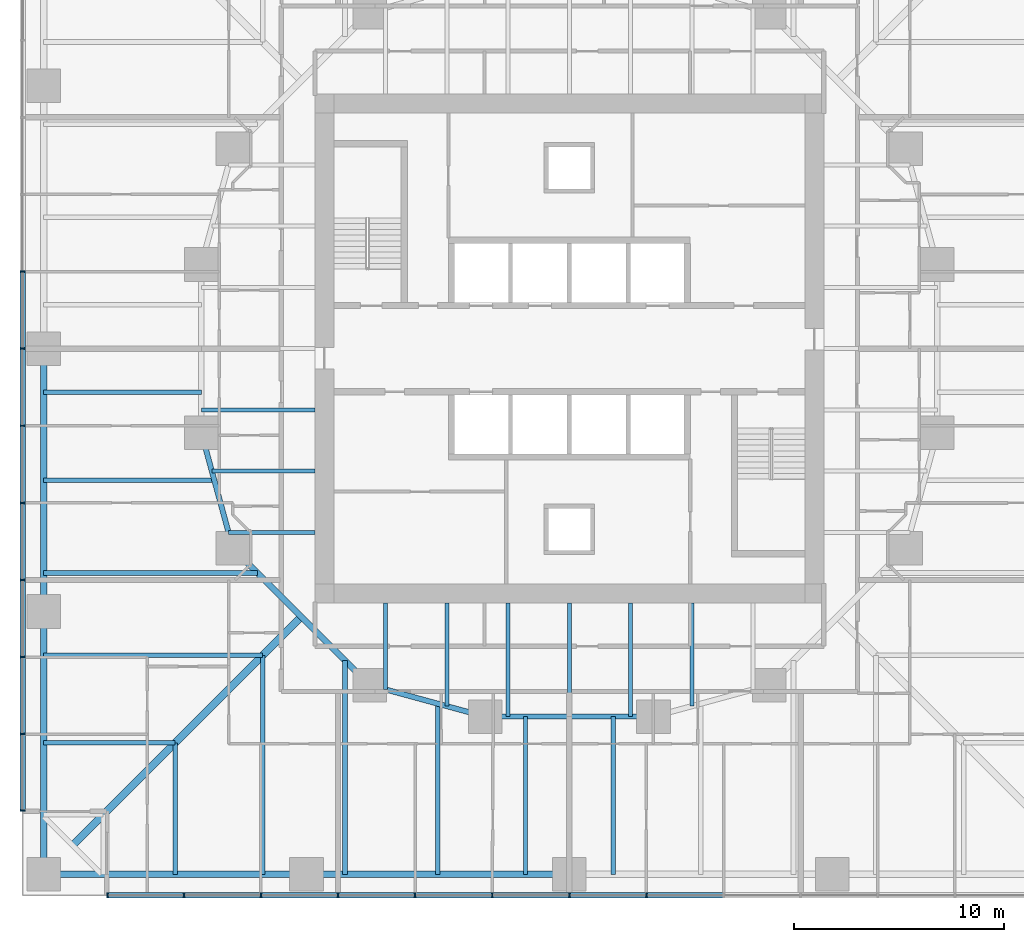
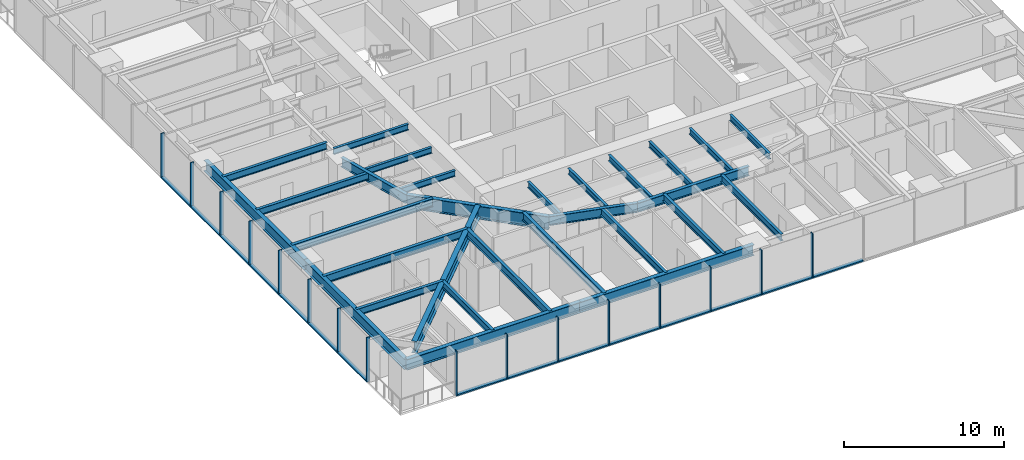
# One storey, part 2 of 18: 31 members, 29 beams, 2 elements without a shape of their own.
"""IFC4 building model written with IfcOpenShell, lengths in metres."""

from ifc_helpers import new_model, si_unit, direction, frame, origin, origin_2d, place, context, subcontext, project, spatial, rectangle, i_section, extrude, material, material_profile, profile_set, type_object, element, aggregate, save


model = new_model("IFC4")

# Units and contexts
model_context = context("Model", 3, precision=1e-05, world=origin(), true_north=direction((0.0, 1.0)))
body_context = subcontext(model_context, "Body", "Model", "MODEL_VIEW")
ifc_project = project(units=[si_unit("LENGTHUNIT", "METRE"), si_unit("AREAUNIT", "SQUARE_METRE"), si_unit("VOLUMEUNIT", "CUBIC_METRE"), si_unit("PLANEANGLEUNIT", "RADIAN"), si_unit("MASSUNIT", "GRAM", prefix="KILO")], contexts=[model_context])

# Site, building, storey
site_placement = place(None, origin())
site = spatial("IfcSite", under=ifc_project, at=site_placement, CompositionType="ELEMENT")
building_placement = place(site_placement, origin())
building = spatial("IfcBuilding", under=site, at=building_placement, Name="Torsade Residences", CompositionType="ELEMENT")
storey_placement = place(building_placement, frame((0.0, 0.0, 25.199951171875)))
storey = spatial("IfcBuildingStorey", under=building, at=storey_placement, Name="L06", CompositionType="ELEMENT", Elevation=25.199951171875)

# Beam
ifc_material_1 = material(Name="Steel grade 300", Category="steel")
ifc_material_profile_1 = material_profile(ifc_material_1, i_section(OverallWidth=0.35009765625, OverallDepth=0.909912109375, WebThickness=0.011962890625, FlangeThickness=0.02490234375, at=origin_2d()), Name="900WB218")
ifc_profile_set_1 = profile_set([ifc_material_profile_1], Name="Steel grade 300")
beam_type_1 = type_object("IfcBeamType", Name="CORNER GIRDER 900WB218", PredefinedType="BEAM", material=ifc_profile_set_1)
beam_1_placement = place(storey_placement, frame((16.375, 6.375, 2.795166015625), z_axis=(0.707106781187, 0.707106781187, 0.0), x_axis=(-0.707106781187, 0.707106781187, 0.0)))
element("IfcBeam", 1, at=beam_1_placement, inside=storey, type_object=beam_type_1, Name="Corner girder 01 L07", PredefinedType="BEAM", context=body_context, shape_type="SweptSolid", body=[
    extrude(i_section(OverallWidth=0.35009765625, OverallDepth=0.909912109375, WebThickness=0.011962890625, FlangeThickness=0.02490234375, at=origin_2d()), origin(), (0.0, 0.0, 1.0), 15.379638671875),
])

# Curtain wall, members
ifc_material_2 = material(Name="Aluminium and glass", Category="aluminium")
curtain_wall_type = type_object("IfcCurtainWallType", Name="FRITTED GLASS CURTAIN WALL LOW ZONE", PredefinedType="NOTDEFINED", material=ifc_material_2)
curtain_wall_1_placement = place(storey_placement, origin())
curtain_wall_1 = element("IfcCurtainWall", 2, at=curtain_wall_1_placement, inside=storey, type_object=curtain_wall_type, Name="Curtain wall L06 face 1", PredefinedType="NOTDEFINED")
ifc_material_3 = material(Name="Aluminium mullion", Category="aluminium")
ifc_material_profile_2 = material_profile(ifc_material_3, rectangle(XDim=0.25, YDim=0.06494140625, at=origin_2d()), Name="CURTAIN WALL MULLION 250x65")
ifc_profile_set_2 = profile_set([ifc_material_profile_2], Name="Aluminium mullion")
member_type_1 = type_object("IfcMemberType", Name="CURTAIN WALL MULLION 250x65", PredefinedType="MULLION", material=ifc_profile_set_2)
member_1_placement = place(storey_placement, frame((18.032470703125, 4.0, 0.0), z_axis=(0.0, 0.0, 1.0), x_axis=(0.0, 1.0, 0.0)))
member_1 = element("IfcMember", 3, at=member_1_placement, type_object=member_type_1, Name="Mullion 1", PredefinedType="MULLION", context=body_context, shape_type="SweptSolid", body=[
    extrude(rectangle(XDim=0.25, YDim=0.06494140625, at=origin_2d()), origin(), (0.0, 0.0, 1.0), 3.400146484375),
])
member_2_placement = place(storey_placement, frame((21.666748046875, 4.0, 0.0), z_axis=(0.0, 0.0, 1.0), x_axis=(0.0, 1.0, 0.0)))
member_2 = element("IfcMember", 4, at=member_2_placement, type_object=member_type_1, Name="Mullion 2", PredefinedType="MULLION", context=body_context, shape_type="SweptSolid", body=[
    extrude(rectangle(XDim=0.25, YDim=0.06494140625, at=origin_2d()), origin(), (0.0, 0.0, 1.0), 3.400146484375),
])
member_3_placement = place(storey_placement, frame((25.333251953125, 4.0, 0.0), z_axis=(0.0, 0.0, 1.0), x_axis=(0.0, 1.0, 0.0)))
member_3 = element("IfcMember", 5, at=member_3_placement, type_object=member_type_1, Name="Mullion 3", PredefinedType="MULLION", context=body_context, shape_type="SweptSolid", body=[
    extrude(rectangle(XDim=0.25, YDim=0.06494140625, at=origin_2d()), origin(), (0.0, 0.0, 1.0), 3.400146484375),
])
member_4_placement = place(storey_placement, frame((29.0, 4.0, 0.0), z_axis=(0.0, 0.0, 1.0), x_axis=(0.0, 1.0, 0.0)))
member_4 = element("IfcMember", 6, at=member_4_placement, type_object=member_type_1, Name="Mullion 4", PredefinedType="MULLION", context=body_context, shape_type="SweptSolid", body=[
    extrude(rectangle(XDim=0.25, YDim=0.06494140625, at=origin_2d()), origin(), (0.0, 0.0, 1.0), 3.400146484375),
])
member_5_placement = place(storey_placement, frame((32.666748046875, 4.0, 0.0), z_axis=(0.0, 0.0, 1.0), x_axis=(0.0, 1.0, 0.0)))
member_5 = element("IfcMember", 7, at=member_5_placement, type_object=member_type_1, Name="Mullion 5", PredefinedType="MULLION", context=body_context, shape_type="SweptSolid", body=[
    extrude(rectangle(XDim=0.25, YDim=0.06494140625, at=origin_2d()), origin(), (0.0, 0.0, 1.0), 3.400146484375),
])
member_6_placement = place(storey_placement, frame((36.333251953125, 4.0, 0.0), z_axis=(0.0, 0.0, 1.0), x_axis=(0.0, 1.0, 0.0)))
member_6 = element("IfcMember", 8, at=member_6_placement, type_object=member_type_1, Name="Mullion 6", PredefinedType="MULLION", context=body_context, shape_type="SweptSolid", body=[
    extrude(rectangle(XDim=0.25, YDim=0.06494140625, at=origin_2d()), origin(), (0.0, 0.0, 1.0), 3.400146484375),
])
member_7_placement = place(storey_placement, frame((40.0, 4.0, 0.0), z_axis=(0.0, 0.0, 1.0), x_axis=(0.0, 1.0, 0.0)))
member_7 = element("IfcMember", 9, at=member_7_placement, type_object=member_type_1, Name="Mullion 7", PredefinedType="MULLION", context=body_context, shape_type="SweptSolid", body=[
    extrude(rectangle(XDim=0.25, YDim=0.06494140625, at=origin_2d()), origin(), (0.0, 0.0, 1.0), 3.400146484375),
])
member_8_placement = place(storey_placement, frame((43.666748046875, 4.0, 0.0), z_axis=(0.0, 0.0, 1.0), x_axis=(0.0, 1.0, 0.0)))
member_8 = element("IfcMember", 10, at=member_8_placement, type_object=member_type_1, Name="Mullion 8", PredefinedType="MULLION", context=body_context, shape_type="SweptSolid", body=[
    extrude(rectangle(XDim=0.25, YDim=0.06494140625, at=origin_2d()), origin(), (0.0, 0.0, 1.0), 3.400146484375),
])

curtain_wall_2_placement = place(storey_placement, origin())
curtain_wall_2 = element("IfcCurtainWall", 11, at=curtain_wall_2_placement, inside=storey, type_object=curtain_wall_type, Name="Curtain wall L06 face 10", PredefinedType="NOTDEFINED")
member_9_placement = place(storey_placement, frame((14.0, 33.666748046875, 0.0), z_axis=(0.0, 0.0, 1.0), x_axis=(1.0, 0.0, 0.0)))
member_9 = element("IfcMember", 12, at=member_9_placement, type_object=member_type_1, Name="Mullion 6", PredefinedType="MULLION", context=body_context, shape_type="SweptSolid", body=[
    extrude(rectangle(XDim=0.25, YDim=0.06494140625, at=origin_2d()), origin(), (0.0, 0.0, 1.0), 3.400146484375),
])
member_10_placement = place(storey_placement, frame((14.0, 30.0, 0.0), z_axis=(0.0, 0.0, 1.0), x_axis=(1.0, 0.0, 0.0)))
member_10 = element("IfcMember", 13, at=member_10_placement, type_object=member_type_1, Name="Mullion 7", PredefinedType="MULLION", context=body_context, shape_type="SweptSolid", body=[
    extrude(rectangle(XDim=0.25, YDim=0.06494140625, at=origin_2d()), origin(), (0.0, 0.0, 1.0), 3.400146484375),
])
member_11_placement = place(storey_placement, frame((14.0, 26.333251953125, 0.0), z_axis=(0.0, 0.0, 1.0), x_axis=(1.0, 0.0, 0.0)))
member_11 = element("IfcMember", 14, at=member_11_placement, type_object=member_type_1, Name="Mullion 8", PredefinedType="MULLION", context=body_context, shape_type="SweptSolid", body=[
    extrude(rectangle(XDim=0.25, YDim=0.06494140625, at=origin_2d()), origin(), (0.0, 0.0, 1.0), 3.400146484375),
])
member_12_placement = place(storey_placement, frame((14.0, 22.666748046875, 0.0), z_axis=(0.0, 0.0, 1.0), x_axis=(1.0, 0.0, 0.0)))
member_12 = element("IfcMember", 15, at=member_12_placement, type_object=member_type_1, Name="Mullion 9", PredefinedType="MULLION", context=body_context, shape_type="SweptSolid", body=[
    extrude(rectangle(XDim=0.25, YDim=0.06494140625, at=origin_2d()), origin(), (0.0, 0.0, 1.0), 3.400146484375),
])
member_13_placement = place(storey_placement, frame((14.0, 19.0, 0.0), z_axis=(0.0, 0.0, 1.0), x_axis=(1.0, 0.0, 0.0)))
member_13 = element("IfcMember", 16, at=member_13_placement, type_object=member_type_1, Name="Mullion 10", PredefinedType="MULLION", context=body_context, shape_type="SweptSolid", body=[
    extrude(rectangle(XDim=0.25, YDim=0.06494140625, at=origin_2d()), origin(), (0.0, 0.0, 1.0), 3.400146484375),
])
member_14_placement = place(storey_placement, frame((14.0, 15.333251953125, 0.0), z_axis=(0.0, 0.0, 1.0), x_axis=(1.0, 0.0, 0.0)))
member_14 = element("IfcMember", 17, at=member_14_placement, type_object=member_type_1, Name="Mullion 11", PredefinedType="MULLION", context=body_context, shape_type="SweptSolid", body=[
    extrude(rectangle(XDim=0.25, YDim=0.06494140625, at=origin_2d()), origin(), (0.0, 0.0, 1.0), 3.400146484375),
])
member_15_placement = place(storey_placement, frame((14.0, 11.666748046875, 0.0), z_axis=(0.0, 0.0, 1.0), x_axis=(1.0, 0.0, 0.0)))
member_15 = element("IfcMember", 18, at=member_15_placement, type_object=member_type_1, Name="Mullion 12", PredefinedType="MULLION", context=body_context, shape_type="SweptSolid", body=[
    extrude(rectangle(XDim=0.25, YDim=0.06494140625, at=origin_2d()), origin(), (0.0, 0.0, 1.0), 3.400146484375),
])
member_16_placement = place(storey_placement, frame((14.0, 8.032470703125, 0.0), z_axis=(0.0, 0.0, 1.0), x_axis=(1.0, 0.0, 0.0)))
member_16 = element("IfcMember", 19, at=member_16_placement, type_object=member_type_1, Name="Mullion 13", PredefinedType="MULLION", context=body_context, shape_type="SweptSolid", body=[
    extrude(rectangle(XDim=0.25, YDim=0.06494140625, at=origin_2d()), origin(), (0.0, 0.0, 1.0), 3.400146484375),
])

# Member
ifc_material_4 = material(Name="Aluminium transom", Category="aluminium")
ifc_material_profile_3 = material_profile(ifc_material_4, rectangle(XDim=0.25, YDim=0.10009765625, at=origin_2d()), Name="CURTAIN WALL TRANSOM 250x100")
ifc_profile_set_3 = profile_set([ifc_material_profile_3], Name="Aluminium transom")
member_type_2 = type_object("IfcMemberType", Name="CURTAIN WALL TRANSOM 250x100", PredefinedType="USERDEFINED", material=ifc_profile_set_3)
member_17_placement = place(storey_placement, frame((18.06494140625, 4.0, 0.050048828125), z_axis=(1.0, 0.0, 0.0), x_axis=(0.0, 1.0, 0.0)))
member_17 = element("IfcMember", 20, at=member_17_placement, type_object=member_type_2, Name="Transom 1.1", ObjectType="TRANSOM", PredefinedType="USERDEFINED", context=body_context, shape_type="SweptSolid", body=[
    extrude(rectangle(XDim=0.25, YDim=0.10009765625, at=origin_2d()), origin(), (0.0, 0.0, 1.0), 3.5693359375),
])

member_18_placement = place(storey_placement, frame((21.69921875, 4.0, 0.050048828125), z_axis=(1.0, 0.0, 0.0), x_axis=(0.0, 1.0, 0.0)))
member_18 = element("IfcMember", 21, at=member_18_placement, type_object=member_type_2, Name="Transom 2.1", ObjectType="TRANSOM", PredefinedType="USERDEFINED", context=body_context, shape_type="SweptSolid", body=[
    extrude(rectangle(XDim=0.25, YDim=0.10009765625, at=origin_2d()), origin(), (0.0, 0.0, 1.0), 3.6015625),
])

member_19_placement = place(storey_placement, frame((25.36572265625, 4.0, 0.050048828125), z_axis=(1.0, 0.0, 0.0), x_axis=(0.0, 1.0, 0.0)))
member_19 = element("IfcMember", 22, at=member_19_placement, type_object=member_type_2, Name="Transom 3.1", ObjectType="TRANSOM", PredefinedType="USERDEFINED", context=body_context, shape_type="SweptSolid", body=[
    extrude(rectangle(XDim=0.25, YDim=0.10009765625, at=origin_2d()), origin(), (0.0, 0.0, 1.0), 3.601806640625),
])

member_20_placement = place(storey_placement, frame((29.032470703125, 4.0, 0.050048828125), z_axis=(1.0, 0.0, 0.0), x_axis=(0.0, 1.0, 0.0)))
member_20 = element("IfcMember", 23, at=member_20_placement, type_object=member_type_2, Name="Transom 4.1", ObjectType="TRANSOM", PredefinedType="USERDEFINED", context=body_context, shape_type="SweptSolid", body=[
    extrude(rectangle(XDim=0.25, YDim=0.10009765625, at=origin_2d()), origin(), (0.0, 0.0, 1.0), 3.601806640625),
])

member_21_placement = place(storey_placement, frame((32.69921875, 4.0, 0.050048828125), z_axis=(1.0, 0.0, 0.0), x_axis=(0.0, 1.0, 0.0)))
member_21 = element("IfcMember", 24, at=member_21_placement, type_object=member_type_2, Name="Transom 5.1", ObjectType="TRANSOM", PredefinedType="USERDEFINED", context=body_context, shape_type="SweptSolid", body=[
    extrude(rectangle(XDim=0.25, YDim=0.10009765625, at=origin_2d()), origin(), (0.0, 0.0, 1.0), 3.6015625),
])

member_22_placement = place(storey_placement, frame((36.36572265625, 4.0, 0.050048828125), z_axis=(1.0, 0.0, 0.0), x_axis=(0.0, 1.0, 0.0)))
member_22 = element("IfcMember", 25, at=member_22_placement, type_object=member_type_2, Name="Transom 6.1", ObjectType="TRANSOM", PredefinedType="USERDEFINED", context=body_context, shape_type="SweptSolid", body=[
    extrude(rectangle(XDim=0.25, YDim=0.10009765625, at=origin_2d()), origin(), (0.0, 0.0, 1.0), 3.601806640625),
])

member_23_placement = place(storey_placement, frame((40.032470703125, 4.0, 0.050048828125), z_axis=(1.0, 0.0, 0.0), x_axis=(0.0, 1.0, 0.0)))
member_23 = element("IfcMember", 26, at=member_23_placement, type_object=member_type_2, Name="Transom 7.1", ObjectType="TRANSOM", PredefinedType="USERDEFINED", context=body_context, shape_type="SweptSolid", body=[
    extrude(rectangle(XDim=0.25, YDim=0.10009765625, at=origin_2d()), origin(), (0.0, 0.0, 1.0), 3.601806640625),
])

member_24_placement = place(storey_placement, frame((43.69921875, 4.0, 0.050048828125), z_axis=(1.0, 0.0, 0.0), x_axis=(0.0, 1.0, 0.0)))
member_24 = element("IfcMember", 27, at=member_24_placement, type_object=member_type_2, Name="Transom 8.1", ObjectType="TRANSOM", PredefinedType="USERDEFINED", context=body_context, shape_type="SweptSolid", body=[
    extrude(rectangle(XDim=0.25, YDim=0.10009765625, at=origin_2d()), origin(), (0.0, 0.0, 1.0), 3.6015625),
])

aggregate(curtain_wall_1, [member_1, member_2, member_3, member_4, member_5, member_6, member_7, member_8, member_17, member_18, member_19, member_20, member_21, member_22, member_23, member_24])

member_25_placement = place(storey_placement, frame((14.0, 33.63427734375, 0.050048828125), z_axis=(0.0, -1.0, 0.0), x_axis=(1.0, 0.0, 0.0)))
member_25 = element("IfcMember", 28, at=member_25_placement, type_object=member_type_2, Name="Transom 6.1", ObjectType="TRANSOM", PredefinedType="USERDEFINED", context=body_context, shape_type="SweptSolid", body=[
    extrude(rectangle(XDim=0.25, YDim=0.10009765625, at=origin_2d()), origin(), (0.0, 0.0, 1.0), 3.601806640625),
])

member_26_placement = place(storey_placement, frame((14.0, 29.967529296875, 0.050048828125), z_axis=(0.0, -1.0, 0.0), x_axis=(1.0, 0.0, 0.0)))
member_26 = element("IfcMember", 29, at=member_26_placement, type_object=member_type_2, Name="Transom 7.1", ObjectType="TRANSOM", PredefinedType="USERDEFINED", context=body_context, shape_type="SweptSolid", body=[
    extrude(rectangle(XDim=0.25, YDim=0.10009765625, at=origin_2d()), origin(), (0.0, 0.0, 1.0), 3.601806640625),
])

member_27_placement = place(storey_placement, frame((14.0, 26.30078125, 0.050048828125), z_axis=(0.0, -1.0, 0.0), x_axis=(1.0, 0.0, 0.0)))
member_27 = element("IfcMember", 30, at=member_27_placement, type_object=member_type_2, Name="Transom 8.1", ObjectType="TRANSOM", PredefinedType="USERDEFINED", context=body_context, shape_type="SweptSolid", body=[
    extrude(rectangle(XDim=0.25, YDim=0.10009765625, at=origin_2d()), origin(), (0.0, 0.0, 1.0), 3.6015625),
])

member_28_placement = place(storey_placement, frame((14.0, 22.63427734375, 0.050048828125), z_axis=(0.0, -1.0, 0.0), x_axis=(1.0, 0.0, 0.0)))
member_28 = element("IfcMember", 31, at=member_28_placement, type_object=member_type_2, Name="Transom 9.1", ObjectType="TRANSOM", PredefinedType="USERDEFINED", context=body_context, shape_type="SweptSolid", body=[
    extrude(rectangle(XDim=0.25, YDim=0.10009765625, at=origin_2d()), origin(), (0.0, 0.0, 1.0), 3.601806640625),
])

member_29_placement = place(storey_placement, frame((14.0, 18.967529296875, 0.050048828125), z_axis=(0.0, -1.0, 0.0), x_axis=(1.0, 0.0, 0.0)))
member_29 = element("IfcMember", 32, at=member_29_placement, type_object=member_type_2, Name="Transom 10.1", ObjectType="TRANSOM", PredefinedType="USERDEFINED", context=body_context, shape_type="SweptSolid", body=[
    extrude(rectangle(XDim=0.25, YDim=0.10009765625, at=origin_2d()), origin(), (0.0, 0.0, 1.0), 3.601806640625),
])

member_30_placement = place(storey_placement, frame((14.0, 15.30078125, 0.050048828125), z_axis=(0.0, -1.0, 0.0), x_axis=(1.0, 0.0, 0.0)))
member_30 = element("IfcMember", 33, at=member_30_placement, type_object=member_type_2, Name="Transom 11.1", ObjectType="TRANSOM", PredefinedType="USERDEFINED", context=body_context, shape_type="SweptSolid", body=[
    extrude(rectangle(XDim=0.25, YDim=0.10009765625, at=origin_2d()), origin(), (0.0, 0.0, 1.0), 3.6015625),
])

member_31_placement = place(storey_placement, frame((14.0, 11.63427734375, 0.050048828125), z_axis=(0.0, -1.0, 0.0), x_axis=(1.0, 0.0, 0.0)))
member_31 = element("IfcMember", 34, at=member_31_placement, type_object=member_type_2, Name="Transom 12.1", ObjectType="TRANSOM", PredefinedType="USERDEFINED", context=body_context, shape_type="SweptSolid", body=[
    extrude(rectangle(XDim=0.25, YDim=0.10009765625, at=origin_2d()), origin(), (0.0, 0.0, 1.0), 3.5693359375),
])

aggregate(curtain_wall_2, [member_9, member_10, member_11, member_12, member_13, member_14, member_15, member_16, member_25, member_26, member_27, member_28, member_29, member_30, member_31])

# Beams
ifc_material_5 = material(Name="Steel grade 300", Category="steel")
ifc_material_profile_4 = material_profile(ifc_material_5, i_section(OverallWidth=0.300048828125, OverallDepth=0.81591796875, WebThickness=0.010009765625, FlangeThickness=0.028076171875, at=origin_2d()), Name="800WB192")
ifc_profile_set_4 = profile_set([ifc_material_profile_4], Name="Steel grade 300")
beam_type_2 = type_object("IfcBeamType", Name="EDGE BEAM 800WB192", PredefinedType="SPANDREL", material=ifc_profile_set_4)
for number, where, z_axis, x_axis, name in (
    (35, (15.0, 5.0, 2.842041015625), (1.0, 0.0, 0.0), (0.0, 1.0, 0.0), "Edge beam 01 L07"),
    (36, (27.5, 5.0, 2.842041015625), (1.0, 0.0, 0.0), (0.0, 1.0, 0.0), "Edge beam 02 L07"),
    (37, (15.0, 30.0, 2.842041015625), (0.0, -1.0, 0.0), (1.0, 0.0, 0.0), "Edge beam 15 L07"),
    (38, (15.0, 17.5, 2.842041015625), (0.0, -1.0, 0.0), (1.0, 0.0, 0.0), "Edge beam 16 L07"),
):
    element("IfcBeam", number, at=place(storey_placement, frame(where, z_axis=z_axis, x_axis=x_axis)), inside=storey, type_object=beam_type_2, Name=name, PredefinedType="SPANDREL", context=body_context, shape_type="SweptSolid", body=[
        extrude(i_section(OverallWidth=0.300048828125, OverallDepth=0.81591796875, WebThickness=0.010009765625, FlangeThickness=0.028076171875, at=origin_2d()), origin(), (0.0, 0.0, 1.0), 12.5),
    ])
ifc_material_6 = material(Name="Steel grade 300", Category="steel")
ifc_material_profile_5 = material_profile(ifc_material_6, i_section(OverallWidth=0.18994140625, OverallDepth=0.4541015625, WebThickness=0.008544921875, FlangeThickness=0.0126953125, FilletRadius=0.011474609375, at=origin_2d()), Name="460UB67.1")
ifc_profile_set_5 = profile_set([ifc_material_profile_5], Name="Steel grade 300")
beam_type_3 = type_object("IfcBeamType", Name="INNER FLOOR BEAM 460UB67.1", PredefinedType="JOIST", material=ifc_profile_set_5)
beam_2_placement = place(storey_placement, frame((45.824951171875, 17.89990234375, 3.02294921875), z_axis=(0.0, -1.0, 0.0), x_axis=(1.0, 0.0, 0.0)))
element("IfcBeam", 39, at=beam_2_placement, inside=storey, type_object=beam_type_3, Name="Inner floor beam IS02 L07", PredefinedType="JOIST", context=body_context, shape_type="SweptSolid", body=[
    extrude(i_section(OverallWidth=0.18994140625, OverallDepth=0.4541015625, WebThickness=0.008544921875, FlangeThickness=0.0126953125, FilletRadius=0.011474609375, at=origin_2d()), origin(), (0.0, 0.0, 1.0), 4.902099609375),
])
for number, where, z_axis, x_axis, name in (
    (40, (42.91259765625, 17.89990234375, 3.02294921875), (0.0, -1.0, 0.0), (1.0, 0.0, 0.0), "Inner floor beam IS03 L07"),
    (41, (40.0, 17.89990234375, 3.02294921875), (0.0, -1.0, 0.0), (1.0, 0.0, 0.0), "Inner floor beam IS04 L07"),
    (42, (37.08740234375, 17.89990234375, 3.02294921875), (0.0, -1.0, 0.0), (1.0, 0.0, 0.0), "Inner floor beam IS05 L07"),
):
    element("IfcBeam", number, at=place(storey_placement, frame(where, z_axis=z_axis, x_axis=x_axis)), inside=storey, type_object=beam_type_3, Name=name, PredefinedType="JOIST", context=body_context, shape_type="SweptSolid", body=[
        extrude(i_section(OverallWidth=0.18994140625, OverallDepth=0.4541015625, WebThickness=0.008544921875, FlangeThickness=0.0126953125, FilletRadius=0.011474609375, at=origin_2d()), origin(), (0.0, 0.0, 1.0), 5.39990234375),
    ])
beam_3_placement = place(storey_placement, frame((34.175048828125, 17.89990234375, 3.02294921875), z_axis=(0.0, -1.0, 0.0), x_axis=(1.0, 0.0, 0.0)))
element("IfcBeam", 43, at=beam_3_placement, inside=storey, type_object=beam_type_3, Name="Inner floor beam IS06 L07", PredefinedType="JOIST", context=body_context, shape_type="SweptSolid", body=[
    extrude(i_section(OverallWidth=0.18994140625, OverallDepth=0.4541015625, WebThickness=0.008544921875, FlangeThickness=0.0126953125, FilletRadius=0.011474609375, at=origin_2d()), origin(), (0.0, 0.0, 1.0), 4.902099609375),
])
beam_4_placement = place(storey_placement, frame((31.262451171875, 17.89990234375, 3.02294921875), z_axis=(0.0, -1.0, 0.0), x_axis=(1.0, 0.0, 0.0)))
element("IfcBeam", 44, at=beam_4_placement, inside=storey, type_object=beam_type_3, Name="Inner floor beam IS07 L07", PredefinedType="JOIST", context=body_context, shape_type="SweptSolid", body=[
    extrude(i_section(OverallWidth=0.18994140625, OverallDepth=0.4541015625, WebThickness=0.008544921875, FlangeThickness=0.0126953125, FilletRadius=0.011474609375, at=origin_2d()), origin(), (0.0, 0.0, 1.0), 4.10791015625),
])
beam_5_placement = place(storey_placement, frame((27.89990234375, 27.08740234375, 3.02294921875), z_axis=(-1.0, 0.0, 0.0), x_axis=(0.0, -1.0, 0.0)))
element("IfcBeam", 45, at=beam_5_placement, inside=storey, type_object=beam_type_3, Name="Inner floor beam IW05 L07", PredefinedType="JOIST", context=body_context, shape_type="SweptSolid", body=[
    extrude(i_section(OverallWidth=0.18994140625, OverallDepth=0.4541015625, WebThickness=0.008544921875, FlangeThickness=0.0126953125, FilletRadius=0.011474609375, at=origin_2d()), origin(), (0.0, 0.0, 1.0), 5.39990234375),
])
beam_6_placement = place(storey_placement, frame((27.89990234375, 24.175048828125, 3.02294921875), z_axis=(-1.0, 0.0, 0.0), x_axis=(0.0, -1.0, 0.0)))
element("IfcBeam", 46, at=beam_6_placement, inside=storey, type_object=beam_type_3, Name="Inner floor beam IW06 L07", PredefinedType="JOIST", context=body_context, shape_type="SweptSolid", body=[
    extrude(i_section(OverallWidth=0.18994140625, OverallDepth=0.4541015625, WebThickness=0.008544921875, FlangeThickness=0.0126953125, FilletRadius=0.011474609375, at=origin_2d()), origin(), (0.0, 0.0, 1.0), 4.902099609375),
])
beam_7_placement = place(storey_placement, frame((27.89990234375, 21.262451171875, 3.02294921875), z_axis=(-1.0, 0.0, 0.0), x_axis=(0.0, -1.0, 0.0)))
element("IfcBeam", 47, at=beam_7_placement, inside=storey, type_object=beam_type_3, Name="Inner floor beam IW07 L07", PredefinedType="JOIST", context=body_context, shape_type="SweptSolid", body=[
    extrude(i_section(OverallWidth=0.18994140625, OverallDepth=0.4541015625, WebThickness=0.008544921875, FlangeThickness=0.0126953125, FilletRadius=0.011474609375, at=origin_2d()), origin(), (0.0, 0.0, 1.0), 4.10791015625),
])
ifc_material_7 = material(Name="Steel grade 300", Category="steel")
ifc_material_profile_6 = material_profile(ifc_material_7, i_section(OverallWidth=0.300048828125, OverallDepth=1.0, WebThickness=0.01611328125, FlangeThickness=0.028076171875, at=origin_2d()), Name="1000WB215")
ifc_profile_set_6 = profile_set([ifc_material_profile_6], Name="Steel grade 300")
beam_type_4 = type_object("IfcBeamType", Name="RING CORNER GIRDER 1000WB215", PredefinedType="BEAM", material=ifc_profile_set_6)
beam_8_placement = place(storey_placement, frame((24.0, 20.5, 2.75), z_axis=(0.707106781187, -0.707106781187, 0.0), x_axis=(0.707106781187, 0.707106781187, 0.0)))
element("IfcBeam", 48, at=beam_8_placement, inside=storey, type_object=beam_type_4, Name="Ring girder IR11 L07", PredefinedType="BEAM", context=body_context, shape_type="SweptSolid", body=[
    extrude(i_section(OverallWidth=0.300048828125, OverallDepth=1.0, WebThickness=0.01611328125, FlangeThickness=0.028076171875, at=origin_2d()), origin(), (0.0, 0.0, 1.0), 9.1923828125),
])
ifc_material_8 = material(Name="Steel grade 300", Category="steel")
ifc_material_profile_7 = material_profile(ifc_material_8, i_section(OverallWidth=0.25, OverallDepth=0.699951171875, WebThickness=0.010009765625, FlangeThickness=0.02001953125, at=origin_2d()), Name="700WB130")
ifc_profile_set_7 = profile_set([ifc_material_profile_7], Name="Steel grade 300")
beam_type_5 = type_object("IfcBeamType", Name="RING GIRDER 700WB130", PredefinedType="BEAM", material=ifc_profile_set_7)
for number, where, z_axis, x_axis, name in (
    (49, (22.5, 26.0, 2.900146484375), (0.263117405792, -0.964763821238, 0.0), (0.964763821238, 0.263117405792, 0.0), "Ring girder IR10 L07"),
    (50, (30.5, 14.0, 2.900146484375), (0.964763821238, -0.263117405792, 0.0), (0.263117405792, 0.964763821238, 0.0), "Ring girder IR12 L07"),
):
    element("IfcBeam", number, at=place(storey_placement, frame(where, z_axis=z_axis, x_axis=x_axis)), inside=storey, type_object=beam_type_5, Name=name, PredefinedType="BEAM", context=body_context, shape_type="SweptSolid", body=[
        extrude(i_section(OverallWidth=0.25, OverallDepth=0.699951171875, WebThickness=0.010009765625, FlangeThickness=0.02001953125, at=origin_2d()), origin(), (0.0, 0.0, 1.0), 5.700927734375),
    ])
beam_9_placement = place(storey_placement, frame((36.0, 12.5, 2.900146484375), z_axis=(1.0, 0.0, 0.0), x_axis=(0.0, 1.0, 0.0)))
element("IfcBeam", 51, at=beam_9_placement, inside=storey, type_object=beam_type_5, Name="Ring girder IR13 L07", PredefinedType="BEAM", context=body_context, shape_type="SweptSolid", body=[
    extrude(i_section(OverallWidth=0.25, OverallDepth=0.699951171875, WebThickness=0.010009765625, FlangeThickness=0.02001953125, at=origin_2d()), origin(), (0.0, 0.0, 1.0), 8.0),
])
ifc_material_9 = material(Name="Steel grade 300", Category="steel")
ifc_material_profile_8 = material_profile(ifc_material_9, i_section(OverallWidth=0.208984375, OverallDepth=0.528076171875, WebThickness=0.009521484375, FlangeThickness=0.01318359375, FilletRadius=0.013916015625, at=origin_2d()), Name="530UB82.0")
ifc_profile_set_8 = profile_set([ifc_material_profile_8], Name="Steel grade 300")
beam_type_6 = type_object("IfcBeamType", Name="SECONDARY BEAM 530UB82.0", PredefinedType="JOIST", material=ifc_profile_set_8)
beam_10_placement = place(storey_placement, frame((21.25, 5.0, 2.986083984375), z_axis=(0.0, 1.0, 0.0), x_axis=(-1.0, 0.0, 0.0)))
element("IfcBeam", 52, at=beam_10_placement, inside=storey, type_object=beam_type_6, Name="Floor beam FS02 L07", PredefinedType="JOIST", context=body_context, shape_type="SweptSolid", body=[
    extrude(i_section(OverallWidth=0.208984375, OverallDepth=0.528076171875, WebThickness=0.009521484375, FlangeThickness=0.01318359375, FilletRadius=0.013916015625, at=origin_2d()), origin(), (0.0, 0.0, 1.0), 6.25),
])
beam_11_placement = place(storey_placement, frame((33.75, 5.0, 2.986083984375), z_axis=(0.0, 1.0, 0.0), x_axis=(-1.0, 0.0, 0.0)))
element("IfcBeam", 53, at=beam_11_placement, inside=storey, type_object=beam_type_6, Name="Floor beam FS05 L07", PredefinedType="JOIST", context=body_context, shape_type="SweptSolid", body=[
    extrude(i_section(OverallWidth=0.208984375, OverallDepth=0.528076171875, WebThickness=0.009521484375, FlangeThickness=0.01318359375, FilletRadius=0.013916015625, at=origin_2d()), origin(), (0.0, 0.0, 1.0), 8.113525390625),
])
for number, where, z_axis, x_axis, name in (
    (54, (37.916748046875, 5.0, 2.986083984375), (0.0, 1.0, 0.0), (-1.0, 0.0, 0.0), "Floor beam FS06 L07"),
    (55, (42.083251953125, 5.0, 2.986083984375), (0.0, 1.0, 0.0), (-1.0, 0.0, 0.0), "Floor beam FS07 L07"),
    (56, (15.0, 27.916748046875, 2.986083984375), (1.0, 0.0, 0.0), (0.0, 1.0, 0.0), "Floor beam FW07 L07"),
):
    element("IfcBeam", number, at=place(storey_placement, frame(where, z_axis=z_axis, x_axis=x_axis)), inside=storey, type_object=beam_type_6, Name=name, PredefinedType="JOIST", context=body_context, shape_type="SweptSolid", body=[
        extrude(i_section(OverallWidth=0.208984375, OverallDepth=0.528076171875, WebThickness=0.009521484375, FlangeThickness=0.01318359375, FilletRadius=0.013916015625, at=origin_2d()), origin(), (0.0, 0.0, 1.0), 7.5),
    ])
beam_12_placement = place(storey_placement, frame((15.0, 23.75, 2.986083984375), z_axis=(1.0, 0.0, 0.0), x_axis=(0.0, 1.0, 0.0)))
element("IfcBeam", 57, at=beam_12_placement, inside=storey, type_object=beam_type_6, Name="Floor beam FW08 L07", PredefinedType="JOIST", context=body_context, shape_type="SweptSolid", body=[
    extrude(i_section(OverallWidth=0.208984375, OverallDepth=0.528076171875, WebThickness=0.009521484375, FlangeThickness=0.01318359375, FilletRadius=0.013916015625, at=origin_2d()), origin(), (0.0, 0.0, 1.0), 8.113525390625),
])
beam_13_placement = place(storey_placement, frame((15.0, 11.25, 2.986083984375), z_axis=(1.0, 0.0, 0.0), x_axis=(0.0, 1.0, 0.0)))
element("IfcBeam", 58, at=beam_13_placement, inside=storey, type_object=beam_type_6, Name="Floor beam FW11 L07", PredefinedType="JOIST", context=body_context, shape_type="SweptSolid", body=[
    extrude(i_section(OverallWidth=0.208984375, OverallDepth=0.528076171875, WebThickness=0.009521484375, FlangeThickness=0.01318359375, FilletRadius=0.013916015625, at=origin_2d()), origin(), (0.0, 0.0, 1.0), 6.25),
])
ifc_material_10 = material(Name="Steel grade 300", Category="steel")
ifc_material_profile_9 = material_profile(ifc_material_10, i_section(OverallWidth=0.22900390625, OverallDepth=0.612060546875, WebThickness=0.011962890625, FlangeThickness=0.01953125, FilletRadius=0.013916015625, at=origin_2d()), Name="610UB125")
ifc_profile_set_9 = profile_set([ifc_material_profile_9], Name="Steel grade 300")
beam_type_7 = type_object("IfcBeamType", Name="SECONDARY BEAM 610UB125", PredefinedType="JOIST", material=ifc_profile_set_9)
beam_14_placement = place(storey_placement, frame((25.416748046875, 5.0, 2.944091796875), z_axis=(0.0, 1.0, 0.0), x_axis=(-1.0, 0.0, 0.0)))
element("IfcBeam", 59, at=beam_14_placement, inside=storey, type_object=beam_type_7, Name="Floor beam FS03 L07", PredefinedType="JOIST", context=body_context, shape_type="SweptSolid", body=[
    extrude(i_section(OverallWidth=0.22900390625, OverallDepth=0.612060546875, WebThickness=0.011962890625, FlangeThickness=0.01953125, FilletRadius=0.013916015625, at=origin_2d()), origin(), (0.0, 0.0, 1.0), 10.416748046875),
])
for number, where, z_axis, x_axis, name in (
    (60, (29.333251953125, 5.0, 2.944091796875), (0.0, 1.0, 0.0), (-1.0, 0.0, 0.0), "Floor beam FS04 L07"),
    (61, (15.0, 19.333251953125, 2.944091796875), (1.0, 0.0, 0.0), (0.0, 1.0, 0.0), "Floor beam FW09 L07"),
):
    element("IfcBeam", number, at=place(storey_placement, frame(where, z_axis=z_axis, x_axis=x_axis)), inside=storey, type_object=beam_type_7, Name=name, PredefinedType="JOIST", context=body_context, shape_type="SweptSolid", body=[
        extrude(i_section(OverallWidth=0.22900390625, OverallDepth=0.612060546875, WebThickness=0.011962890625, FlangeThickness=0.01953125, FilletRadius=0.013916015625, at=origin_2d()), origin(), (0.0, 0.0, 1.0), 10.166748046875),
    ])
beam_15_placement = place(storey_placement, frame((15.0, 15.416748046875, 2.944091796875), z_axis=(1.0, 0.0, 0.0), x_axis=(0.0, 1.0, 0.0)))
element("IfcBeam", 62, at=beam_15_placement, inside=storey, type_object=beam_type_7, Name="Floor beam FW10 L07", PredefinedType="JOIST", context=body_context, shape_type="SweptSolid", body=[
    extrude(i_section(OverallWidth=0.22900390625, OverallDepth=0.612060546875, WebThickness=0.011962890625, FlangeThickness=0.01953125, FilletRadius=0.013916015625, at=origin_2d()), origin(), (0.0, 0.0, 1.0), 10.416748046875),
])

save(model, "model.ifc")
